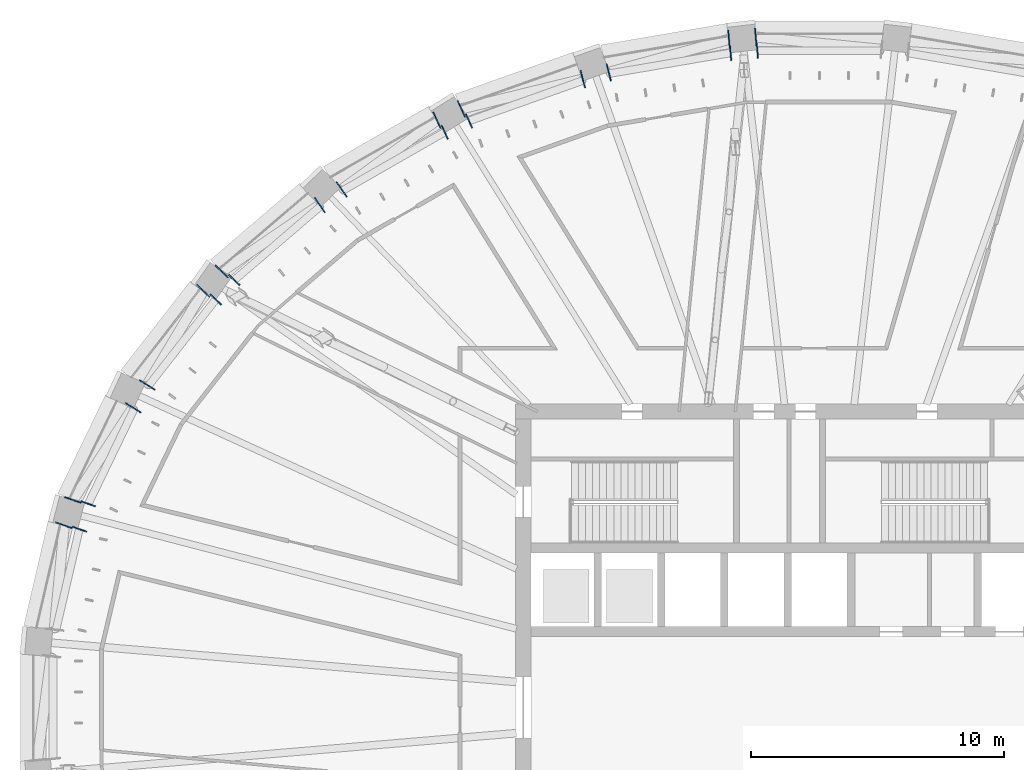
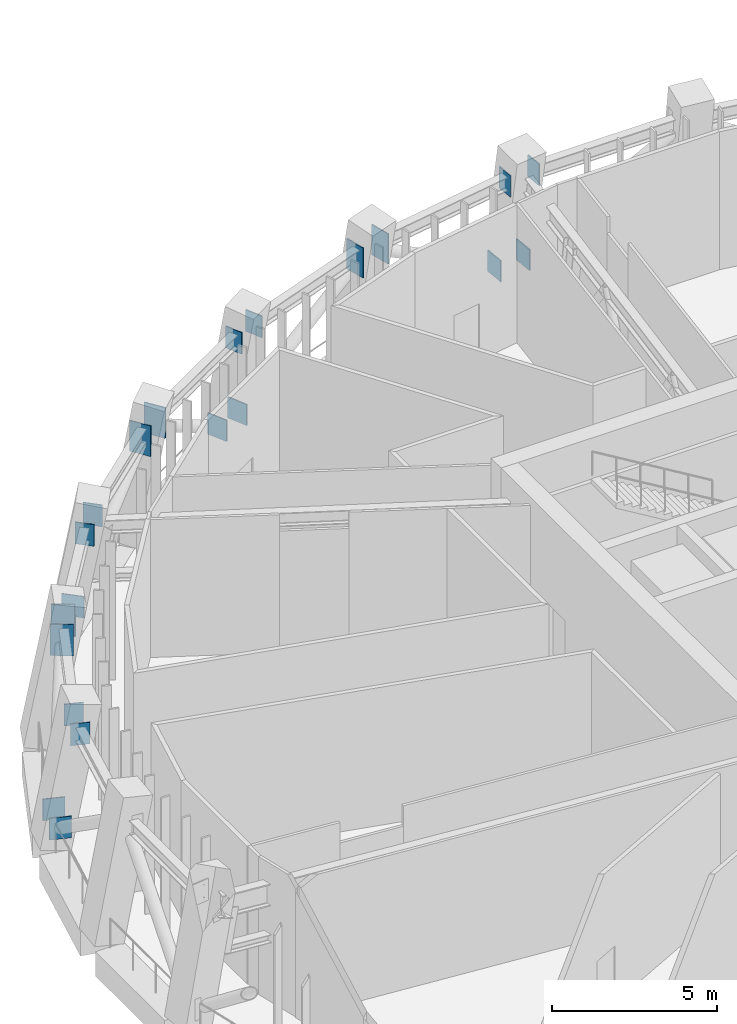
# One storey, part 14 of 20: 22 discrete accessories.
"""IFC4 building model written with IfcOpenShell, lengths in metres."""

from ifc_helpers import new_model, si_unit, direction, frame, origin, origin_2d, place, context, subcontext, project, spatial, rectangle, extrude, material, layer, layer_set, type_object, element, save


model = new_model("IFC4")

# Units and contexts
model_context = context("Model", 3, precision=1e-05, world=origin(), true_north=direction((0.0, 1.0)))
body_context = subcontext(model_context, "Body", "Model", "MODEL_VIEW")
ifc_project = project(units=[si_unit("LENGTHUNIT", "METRE"), si_unit("AREAUNIT", "SQUARE_METRE"), si_unit("VOLUMEUNIT", "CUBIC_METRE"), si_unit("PLANEANGLEUNIT", "RADIAN"), si_unit("MASSUNIT", "GRAM", prefix="KILO")], contexts=[model_context])

# Site, building, storey
site_placement = place(None, origin())
site = spatial("IfcSite", under=ifc_project, at=site_placement, CompositionType="ELEMENT")
building_placement = place(site_placement, origin())
building = spatial("IfcBuilding", under=site, at=building_placement, Name="Halqa Exchange Tower", CompositionType="ELEMENT")
storey_placement = place(building_placement, frame((0.0, 0.0, 250.89990234375)))
storey = spatial("IfcBuildingStorey", under=building, at=storey_placement, Name="L58", CompositionType="ELEMENT", Elevation=250.89990234375)

# Discrete accessories
ifc_material = material(Name="Steel S355", Category="steel")
ifc_layer = layer(ifc_material, 0.0400390625)
ifc_layer_set = layer_set([ifc_layer], Name="Steel S355")
discrete_accessory_type = type_object("IfcDiscreteAccessoryType", Name="Belt truss anchor plate 40", PredefinedType="ANCHORPLATE", material=ifc_layer_set)
discrete_accessory_1_placement = place(storey_placement, frame((-3.486572265625, 25.864501953125, 4.25), z_axis=(-0.996331773833, -0.085574508182, 0.0), x_axis=(0.085574508182, -0.996331773833, 0.0)))
element("IfcDiscreteAccessory", 1, at=discrete_accessory_1_placement, inside=storey, type_object=discrete_accessory_type, Name="Belt truss anchor plate", PredefinedType="ANCHORPLATE", context=body_context, shape_type="SweptSolid", body=[
    extrude(rectangle(XDim=0.60009765625, YDim=0.800048828125, at=origin_2d()), origin(), (0.0, 0.0, 1.0), 0.0400390625),
])
discrete_accessory_2_placement = place(storey_placement, frame((-2.47021484375, 25.95068359375, 4.25), z_axis=(0.996376129781, 0.085056498884, 0.0), x_axis=(-0.085056498884, 0.996376129781, 0.0)))
element("IfcDiscreteAccessory", 2, at=discrete_accessory_2_placement, inside=storey, type_object=discrete_accessory_type, Name="Belt truss anchor plate", PredefinedType="ANCHORPLATE", context=body_context, shape_type="SweptSolid", body=[
    extrude(rectangle(XDim=0.60009765625, YDim=0.800048828125, at=origin_2d()), origin(), (0.0, 0.0, 1.0), 0.040283203125),
])
discrete_accessory_3_placement = place(storey_placement, frame((-3.550048828125, 26.404296875, 0.83203125), z_axis=(-0.996376129781, -0.085056498884, 0.0), x_axis=(0.085056498884, -0.996376129781, 0.0)))
element("IfcDiscreteAccessory", 3, at=discrete_accessory_3_placement, inside=storey, type_object=discrete_accessory_type, Name="Belt truss anchor plate", PredefinedType="ANCHORPLATE", context=body_context, shape_type="SweptSolid", body=[
    extrude(rectangle(XDim=0.7060546875, YDim=0.779052734375, at=origin_2d()), origin(), (0.0, 0.0, 1.0), 0.040283203125),
])
discrete_accessory_4_placement = place(storey_placement, frame((-2.53369140625, 26.4912109375, 0.827880859375), z_axis=(0.996331773833, 0.085574508182, 0.0), x_axis=(-0.085574508182, 0.996331773833, 0.0)))
element("IfcDiscreteAccessory", 4, at=discrete_accessory_4_placement, inside=storey, type_object=discrete_accessory_type, Name="Belt truss anchor plate", PredefinedType="ANCHORPLATE", context=body_context, shape_type="SweptSolid", body=[
    extrude(rectangle(XDim=0.7060546875, YDim=0.778076171875, at=origin_2d()), origin(), (0.0, 0.0, 1.0), 0.0400390625),
])
discrete_accessory_5_placement = place(storey_placement, frame((-9.326904296875, 24.8330078125, 4.09228515625), z_axis=(-0.967941754644, -0.251174759116, 0.0), x_axis=(0.251174759116, -0.967941754644, 0.0)))
element("IfcDiscreteAccessory", 5, at=discrete_accessory_5_placement, inside=storey, type_object=discrete_accessory_type, Name="Belt truss anchor plate", PredefinedType="ANCHORPLATE", context=body_context, shape_type="SweptSolid", body=[
    extrude(rectangle(XDim=0.7060546875, YDim=1.115966796875, at=origin_2d()), origin(), (0.0, 0.0, 1.0), 0.039794921875),
])
discrete_accessory_6_placement = place(storey_placement, frame((-8.339599609375, 25.08984375, 4.091796875), z_axis=(0.967941754644, 0.251174759116, 0.0), x_axis=(-0.251174759116, 0.967941754644, 0.0)))
element("IfcDiscreteAccessory", 6, at=discrete_accessory_6_placement, inside=storey, type_object=discrete_accessory_type, Name="Belt truss anchor plate", PredefinedType="ANCHORPLATE", context=body_context, shape_type="SweptSolid", body=[
    extrude(rectangle(XDim=0.7060546875, YDim=1.116943359375, at=origin_2d()), origin(), (0.0, 0.0, 1.0), 0.039794921875),
])
discrete_accessory_7_placement = place(storey_placement, frame((-14.785400390625, 22.74267578125, 4.25), z_axis=(-0.9097381412, -0.415182507393, 0.0), x_axis=(0.415182507393, -0.9097381412, 0.0)))
element("IfcDiscreteAccessory", 7, at=discrete_accessory_7_placement, inside=storey, type_object=discrete_accessory_type, Name="Belt truss anchor plate", PredefinedType="ANCHORPLATE", context=body_context, shape_type="SweptSolid", body=[
    extrude(rectangle(XDim=0.60009765625, YDim=0.800048828125, at=origin_2d()), origin(), (0.0, 0.0, 1.0), 0.0400390625),
])
discrete_accessory_8_placement = place(storey_placement, frame((-13.8583984375, 23.16845703125, 4.25), z_axis=(0.908676843963, 0.417500171551, 0.0), x_axis=(-0.417500171551, 0.908676843963, 0.0)))
element("IfcDiscreteAccessory", 8, at=discrete_accessory_8_placement, inside=storey, type_object=discrete_accessory_type, Name="Belt truss anchor plate", PredefinedType="ANCHORPLATE", context=body_context, shape_type="SweptSolid", body=[
    extrude(rectangle(XDim=0.60009765625, YDim=0.800048828125, at=origin_2d()), origin(), (0.0, 0.0, 1.0), 0.039794921875),
])
discrete_accessory_9_placement = place(storey_placement, frame((-15.088623046875, 23.215087890625, 0.849365234375), z_axis=(-0.90742390538, -0.420216439404, 0.0), x_axis=(0.420216439404, -0.90742390538, 0.0)))
element("IfcDiscreteAccessory", 9, at=discrete_accessory_9_placement, inside=storey, type_object=discrete_accessory_type, Name="Belt truss anchor plate", PredefinedType="ANCHORPLATE", context=body_context, shape_type="SweptSolid", body=[
    extrude(rectangle(XDim=0.7060546875, YDim=0.785888671875, at=origin_2d()), origin(), (0.0, 0.0, 1.0), 0.0400390625),
])
discrete_accessory_10_placement = place(storey_placement, frame((-14.16357421875, 23.64453125, 0.832275390625), z_axis=(0.9097381412, 0.415182507393, 0.0), x_axis=(-0.415182507393, 0.9097381412, 0.0)))
element("IfcDiscreteAccessory", 10, at=discrete_accessory_10_placement, inside=storey, type_object=discrete_accessory_type, Name="Belt truss anchor plate", PredefinedType="ANCHORPLATE", context=body_context, shape_type="SweptSolid", body=[
    extrude(rectangle(XDim=0.7060546875, YDim=0.779052734375, at=origin_2d()), origin(), (0.0, 0.0, 1.0), 0.0400390625),
])
discrete_accessory_11_placement = place(storey_placement, frame((-19.720703125, 19.869140625, 4.083251953125), z_axis=(-0.81865747399, -0.57428210862, 0.0), x_axis=(0.57428210862, -0.81865747399, 0.0)))
element("IfcDiscreteAccessory", 11, at=discrete_accessory_11_placement, inside=storey, type_object=discrete_accessory_type, Name="Belt truss anchor plate", PredefinedType="ANCHORPLATE", context=body_context, shape_type="SweptSolid", body=[
    extrude(rectangle(XDim=0.7109375, YDim=1.134033203125, at=origin_2d()), origin(), (0.0, 0.0, 1.0), 0.0400390625),
])
discrete_accessory_12_placement = place(storey_placement, frame((-18.886962890625, 20.45654296875, 4.08251953125), z_axis=(0.81865747399, 0.57428210862, 0.0), x_axis=(-0.57428210862, 0.81865747399, 0.0)))
element("IfcDiscreteAccessory", 12, at=discrete_accessory_12_placement, inside=storey, type_object=discrete_accessory_type, Name="Belt truss anchor plate", PredefinedType="ANCHORPLATE", context=body_context, shape_type="SweptSolid", body=[
    extrude(rectangle(XDim=0.7099609375, YDim=1.135009765625, at=origin_2d()), origin(), (0.0, 0.0, 1.0), 0.0400390625),
])
discrete_accessory_13_placement = place(storey_placement, frame((-23.831787109375, 16.137939453125, 4.25), z_axis=(-0.694812020929, -0.719191390085, 0.0), x_axis=(0.719191390085, -0.694812020929, 0.0)))
element("IfcDiscreteAccessory", 13, at=discrete_accessory_13_placement, inside=storey, type_object=discrete_accessory_type, Name="Belt truss anchor plate", PredefinedType="ANCHORPLATE", context=body_context, shape_type="SweptSolid", body=[
    extrude(rectangle(XDim=0.60009765625, YDim=0.800048828125, at=origin_2d()), origin(), (0.0, 0.0, 1.0), 0.0400390625),
])
discrete_accessory_14_placement = place(storey_placement, frame((-23.127685546875, 16.8759765625, 4.25), z_axis=(0.691639439628, 0.722242954656, 0.0), x_axis=(-0.722242954656, 0.691639439628, 0.0)))
element("IfcDiscreteAccessory", 14, at=discrete_accessory_14_placement, inside=storey, type_object=discrete_accessory_type, Name="Belt truss anchor plate", PredefinedType="ANCHORPLATE", context=body_context, shape_type="SweptSolid", body=[
    extrude(rectangle(XDim=0.60009765625, YDim=0.800048828125, at=origin_2d()), origin(), (0.0, 0.0, 1.0), 0.039794921875),
])
discrete_accessory_15_placement = place(storey_placement, frame((-24.326416015625, 16.47509765625, 0.8720703125), z_axis=(-0.691639439628, -0.722242954656, 0.0), x_axis=(0.722242954656, -0.691639439628, 0.0)))
element("IfcDiscreteAccessory", 15, at=discrete_accessory_15_placement, inside=storey, type_object=discrete_accessory_type, Name="Belt truss anchor plate", PredefinedType="ANCHORPLATE", context=body_context, shape_type="SweptSolid", body=[
    extrude(rectangle(XDim=0.693115234375, YDim=0.794921875, at=origin_2d()), origin(), (0.0, 0.0, 1.0), 0.039794921875),
])
discrete_accessory_16_placement = place(storey_placement, frame((-23.623779296875, 17.214599609375, 0.847412109375), z_axis=(0.691639439628, 0.722242954656, 0.0), x_axis=(-0.722242954656, 0.691639439628, 0.0)))
element("IfcDiscreteAccessory", 16, at=discrete_accessory_16_placement, inside=storey, type_object=discrete_accessory_type, Name="Belt truss anchor plate", PredefinedType="ANCHORPLATE", context=body_context, shape_type="SweptSolid", body=[
    extrude(rectangle(XDim=0.700927734375, YDim=0.784912109375, at=origin_2d()), origin(), (0.0, 0.0, 1.0), 0.039794921875),
])
discrete_accessory_17_placement = place(storey_placement, frame((-27.103515625, 11.861572265625, 4.0712890625), z_axis=(-0.526143980405, -0.850395503212, 0.0), x_axis=(0.850395503212, -0.526143980405, 0.0)))
element("IfcDiscreteAccessory", 17, at=discrete_accessory_17_placement, inside=storey, type_object=discrete_accessory_type, Name="Belt truss anchor plate", PredefinedType="ANCHORPLATE", context=body_context, shape_type="SweptSolid", body=[
    extrude(rectangle(XDim=0.718017578125, YDim=1.157958984375, at=origin_2d()), origin(), (0.0, 0.0, 1.0), 0.039794921875),
])
discrete_accessory_18_placement = place(storey_placement, frame((-26.564453125, 12.7275390625, 4.0703125), z_axis=(0.530546985787, 0.847655529016, 0.0), x_axis=(-0.847655529016, 0.530546985787, 0.0)))
element("IfcDiscreteAccessory", 18, at=discrete_accessory_18_placement, inside=storey, type_object=discrete_accessory_type, Name="Belt truss anchor plate", PredefinedType="ANCHORPLATE", context=body_context, shape_type="SweptSolid", body=[
    extrude(rectangle(XDim=0.717041015625, YDim=1.159912109375, at=origin_2d()), origin(), (0.0, 0.0, 1.0), 0.0400390625),
])
for number, where, z_axis, x_axis, name in (
    (19, (-29.22802734375, 7.0693359375, 4.25), (-0.336336396998, -0.941741911595, 0.0), (0.941741911595, -0.336336396998, 0.0), "Belt truss anchor plate"),
    (20, (-28.888916015625, 8.03125, 4.25), (0.334409845171, 0.942427745481, 0.0), (-0.942427745481, 0.334409845171, 0.0), "Belt truss anchor plate"),
):
    element("IfcDiscreteAccessory", number, at=place(storey_placement, frame(where, z_axis=z_axis, x_axis=x_axis)), inside=storey, type_object=discrete_accessory_type, Name=name, PredefinedType="ANCHORPLATE", context=body_context, shape_type="SweptSolid", body=[
        extrude(rectangle(XDim=0.60009765625, YDim=0.800048828125, at=origin_2d()), origin(), (0.0, 0.0, 1.0), 0.0400390625),
    ])
discrete_accessory_19_placement = place(storey_placement, frame((-29.837158203125, 7.22265625, 0.8876953125), z_axis=(-0.328993186606, -0.944332294887, 0.0), x_axis=(0.944332294887, -0.328993186606, 0.0)))
element("IfcDiscreteAccessory", 21, at=discrete_accessory_19_placement, inside=storey, type_object=discrete_accessory_type, Name="Belt truss anchor plate", PredefinedType="ANCHORPLATE", context=body_context, shape_type="SweptSolid", body=[
    extrude(rectangle(XDim=0.680908203125, YDim=0.801025390625, at=origin_2d()), origin(), (0.0, 0.0, 1.0), 0.0400390625),
])
discrete_accessory_20_placement = place(storey_placement, frame((-29.499267578125, 8.18505859375, 0.871826171875), z_axis=(0.330896267797, 0.943667134088, 0.0), x_axis=(-0.943667134088, 0.330896267797, 0.0)))
element("IfcDiscreteAccessory", 22, at=discrete_accessory_20_placement, inside=storey, type_object=discrete_accessory_type, Name="Belt truss anchor plate", PredefinedType="ANCHORPLATE", context=body_context, shape_type="SweptSolid", body=[
    extrude(rectangle(XDim=0.68701171875, YDim=0.7939453125, at=origin_2d()), origin(), (0.0, 0.0, 1.0), 0.039794921875),
])

save(model, "model.ifc")
